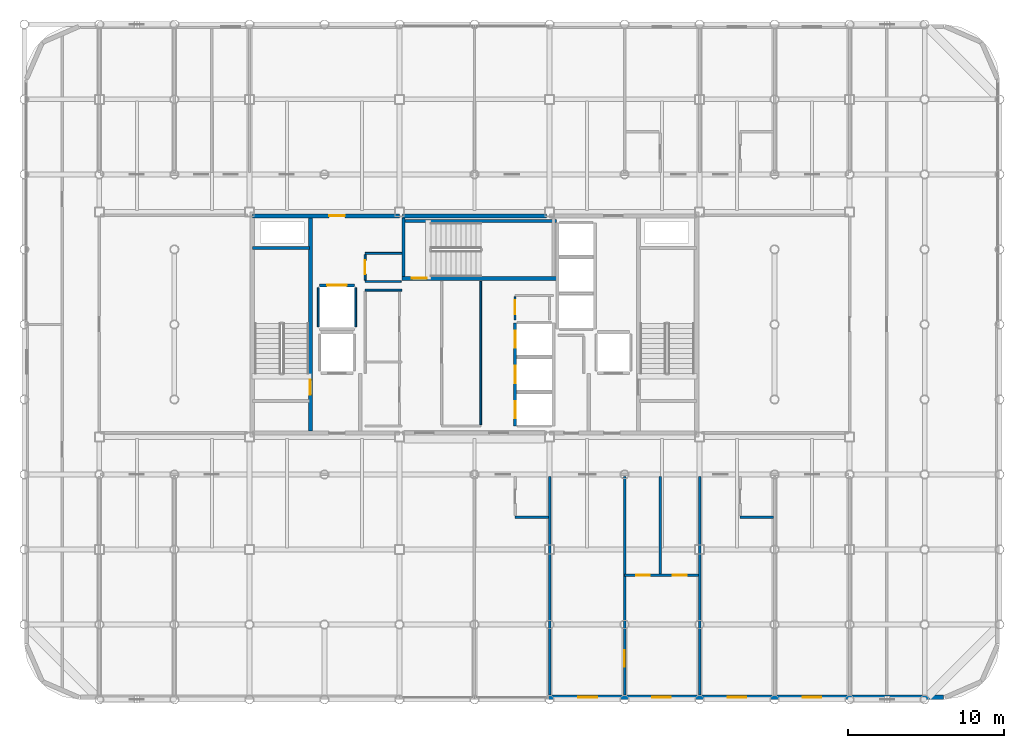
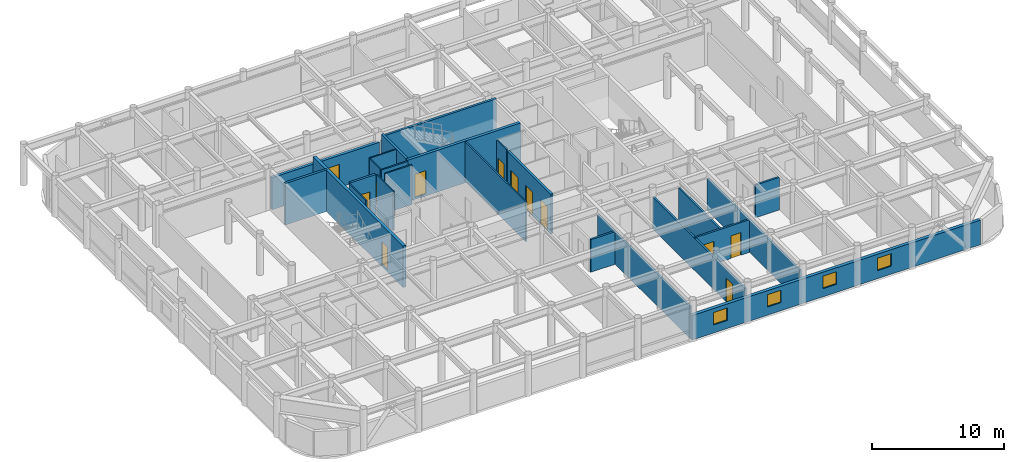
# One storey, part 18 of 22: 25 walls, 12 doors, 4 windows, 16 openings.
"""IFC4 building model written with IfcOpenShell, lengths in metres."""

from ifc_helpers import new_model, si_unit, direction, frame, frame_2d, origin, place, context, subcontext, project, spatial, rectangle, extrude, material, layer, layer_set, type_object, element, fill, save


model = new_model("IFC4")

# Units and contexts
model_context = context("Model", 3, precision=1e-05, world=origin(), true_north=direction((0.0, 1.0)))
body_context = subcontext(model_context, "Body", "Model", "MODEL_VIEW")
ifc_project = project(units=[si_unit("LENGTHUNIT", "METRE"), si_unit("AREAUNIT", "SQUARE_METRE"), si_unit("VOLUMEUNIT", "CUBIC_METRE"), si_unit("PLANEANGLEUNIT", "RADIAN"), si_unit("MASSUNIT", "GRAM", prefix="KILO")], contexts=[model_context])

# Site, building, storey
site_placement = place(None, origin())
site = spatial("IfcSite", under=ifc_project, at=site_placement, CompositionType="ELEMENT")
building_placement = place(site_placement, origin())
building = spatial("IfcBuilding", under=site, at=building_placement, Name="Kallvorn Hotel Tower", CompositionType="ELEMENT")
storey_placement = place(building_placement, frame((0.0, 0.0, 206.89990234375)))
storey = spatial("IfcBuildingStorey", under=building, at=storey_placement, Name="L51", CompositionType="ELEMENT", Elevation=206.89990234375)

# Wall, openings, doors
ifc_material_1 = material(Name="Fire-rated double-layer acoustic gypsum drywall EI 60")
ifc_layer_1 = layer(ifc_material_1, 0.159912109375)
ifc_layer_set_1 = layer_set([ifc_layer_1], Name="WL_DEMISE_160")
wall_type_1 = type_object("IfcWallType", Name="WL_DEMISE_160", PredefinedType="PARTITIONING", material=ifc_layer_set_1)
wall_1_placement = place(storey_placement, frame((9.60009765625, -16.050048828125, 0.0), z_axis=(0.0, 0.0, 1.0), x_axis=(1.0, 0.0, 0.0)))
wall_1 = element("IfcWall", 1, at=wall_1_placement, inside=storey, type_object=wall_type_1, Name="L51 Suite 5102 Executive Bedroom Partition", PredefinedType="PARTITIONING", context=body_context, shape_type="SweptSolid", body=[
    extrude(rectangle(XDim=4.719970703125, YDim=0.159912109375, at=frame_2d((2.35986328125, 0.0))), origin(), (0.0, 0.0, 1.0), 3.02001953125),
])
opening_1_placement = place(wall_1_placement, frame((0.75, 0.0, 0.0)))
opening_1 = element("IfcOpeningElement", 2, at=opening_1_placement, cuts=wall_1, Name="Opening BD-I", PredefinedType="OPENING", context=body_context, shape_type="SweptSolid", body=[
    extrude(rectangle(XDim=0.860107421875, YDim=2.10009765625, at=frame_2d((0.43017578125, 1.050048828125))), frame((0.0, 0.094970703125, 0.0), z_axis=(0.0, -1.0, 0.0), x_axis=(1.0, 0.0, 0.0)), (0.0, 0.0, 1.0), 0.18994140625),
])
opening_2_placement = place(wall_1_placement, frame((3.090087890625, 0.0, 0.0)))
opening_2 = element("IfcOpeningElement", 3, at=opening_2_placement, cuts=wall_1, Name="Opening SVD1", PredefinedType="OPENING", context=body_context, shape_type="SweptSolid", body=[
    extrude(rectangle(XDim=0.89990234375, YDim=2.10009765625, at=frame_2d((0.449951171875, 1.050048828125))), frame((0.0, 0.094970703125, 0.0), z_axis=(0.0, -1.0, 0.0), x_axis=(1.0, 0.0, 0.0)), (0.0, 0.0, 1.0), 0.18994140625),
])
ifc_material_2 = material(Name="Solid-core walnut veneer fire-rated timber door leaf", Category="wood")
door_type_1 = type_object("IfcDoorType", Name="DR_BATH_860x2100", OperationType="NOTDEFINED", PredefinedType="DOOR", material=ifc_material_2)
door_1_placement = place(opening_1_placement, origin())
door_1 = element("IfcDoor", 4, at=door_1_placement, inside=storey, type_object=door_type_1, Name="L51 Suite 5102 En-Suite Bathroom Door", OperationType="SINGLE_SWING_LEFT", OverallHeight=2.10009765625, OverallWidth=0.860107421875, PredefinedType="DOOR", context=body_context, shape_type="SweptSolid", body=[
    extrude(rectangle(XDim=0.860107421875, YDim=2.10009765625, at=frame_2d((0.43017578125, 1.050048828125))), frame((0.0, 0.02490234375, 0.0), z_axis=(0.0, -1.0, 0.0), x_axis=(1.0, 0.0, 0.0)), (0.0, 0.0, 1.0), 0.050048828125),
])
fill(opening_1, door_1)
ifc_material_3 = material(Name="Galvanised painted steel fire-rated door assembly", Category="steel")
door_type_2 = type_object("IfcDoorType", Name="DR_SERV_900x2100", OperationType="NOTDEFINED", PredefinedType="DOOR", material=ifc_material_3)
door_2_placement = place(opening_2_placement, origin())
door_2 = element("IfcDoor", 5, at=door_2_placement, inside=storey, type_object=door_type_2, Name="L51 Suite 5102 Walk-In Dressing Closet Door", OperationType="SINGLE_SWING_RIGHT", OverallHeight=2.10009765625, OverallWidth=0.89990234375, PredefinedType="DOOR", context=body_context, shape_type="SweptSolid", body=[
    extrude(rectangle(XDim=0.89990234375, YDim=2.10009765625, at=frame_2d((0.449951171875, 1.050048828125))), frame((0.0, 0.02490234375, 0.0), z_axis=(0.0, -1.0, 0.0), x_axis=(1.0, 0.0, 0.0)), (0.0, 0.0, 1.0), 0.050048828125),
])
fill(opening_2, door_2)

# Walls
wall_2_placement = place(storey_placement, frame((2.590087890625, -12.320068359375, 0.0), z_axis=(0.0, 0.0, 1.0), x_axis=(1.0, 0.0, 0.0)))
element("IfcWall", 6, at=wall_2_placement, inside=storey, type_object=wall_type_1, Name="L51 Suite 5101 Deluxe King Room Partition", PredefinedType="PARTITIONING", context=body_context, shape_type="SweptSolid", body=[
    extrude(rectangle(XDim=2.1298828125, YDim=0.159912109375, at=frame_2d((1.06494140625, 0.0))), origin(), (0.0, 0.0, 1.0), 3.02001953125),
])
wall_3_placement = place(storey_placement, frame((16.989990234375, -12.320068359375, 0.0), z_axis=(0.0, 0.0, 1.0), x_axis=(1.0, 0.0, 0.0)))
element("IfcWall", 7, at=wall_3_placement, inside=storey, type_object=wall_type_1, Name="L51 Suite 5103 Superior Twin Room Partition", PredefinedType="PARTITIONING", context=body_context, shape_type="SweptSolid", body=[
    extrude(rectangle(XDim=2.130126953125, YDim=0.159912109375, at=frame_2d((1.06494140625, 0.0))), origin(), (0.0, 0.0, 1.0), 3.02001953125),
])
wall_4_placement = place(storey_placement, frame((4.800048828125, -23.7099609375, 0.0), z_axis=(0.0, 0.0, 1.0), x_axis=(0.0, 1.0, 0.0)))
element("IfcWall", 8, at=wall_4_placement, inside=storey, type_object=wall_type_1, Name="L51 Suite 5101 Deluxe King Room Partition", PredefinedType="PARTITIONING", context=body_context, shape_type="SweptSolid", body=[
    extrude(rectangle(XDim=13.989990234375, YDim=0.159912109375, at=frame_2d((6.9951171875, 0.0))), origin(), (0.0, 0.0, 1.0), 2.97021484375),
])

# Wall, opening, door
wall_5_placement = place(storey_placement, frame((9.60009765625, -23.7099609375, 0.0), z_axis=(0.0, 0.0, 1.0), x_axis=(0.0, 1.0, 0.0)))
wall_5 = element("IfcWall", 9, at=wall_5_placement, inside=storey, type_object=wall_type_1, Name="L51 Suite 5102 Executive Bedroom Partition", PredefinedType="PARTITIONING", context=body_context, shape_type="SweptSolid", body=[
    extrude(rectangle(XDim=13.989990234375, YDim=0.159912109375, at=frame_2d((6.9951171875, 0.0))), origin(), (0.0, 0.0, 1.0), 2.97021484375),
])
opening_3_placement = place(wall_5_placement, frame((1.802978515625, 0.0, 0.0)))
opening_3 = element("IfcOpeningElement", 10, at=opening_3_placement, cuts=wall_5, Name="Opening GD2", PredefinedType="OPENING", context=body_context, shape_type="SweptSolid", body=[
    extrude(rectangle(XDim=1.050048828125, YDim=2.199951171875, at=frame_2d((0.52490234375, 1.10009765625))), frame((0.0, 0.094970703125, 0.0), z_axis=(0.0, -1.0, 0.0), x_axis=(1.0, 0.0, 0.0)), (0.0, 0.0, 1.0), 0.18994140625),
])
ifc_material_4 = material(Name="Solid-core walnut veneer fire-rated timber door leaf", Category="wood")
door_type_3 = type_object("IfcDoorType", Name="DR_SUITE_1050x2200", OperationType="NOTDEFINED", PredefinedType="DOOR", material=ifc_material_4)
door_3_placement = place(opening_3_placement, origin())
door_3 = element("IfcDoor", 11, at=door_3_placement, inside=storey, type_object=door_type_3, Name="L51 Suite 5102 Executive Bedroom Door", OperationType="SINGLE_SWING_RIGHT", OverallHeight=2.199951171875, OverallWidth=1.050048828125, PredefinedType="DOOR", context=body_context, shape_type="SweptSolid", body=[
    extrude(rectangle(XDim=1.050048828125, YDim=2.199951171875, at=frame_2d((0.52490234375, 1.10009765625))), frame((0.0, 0.02490234375, 0.0), z_axis=(0.0, -1.0, 0.0), x_axis=(1.0, 0.0, 0.0)), (0.0, 0.0, 1.0), 0.050048828125),
])
fill(opening_3, door_3)

# Wall
wall_6_placement = place(storey_placement, frame((14.39990234375, -23.7099609375, 0.0), z_axis=(0.0, 0.0, 1.0), x_axis=(0.0, 1.0, 0.0)))
element("IfcWall", 12, at=wall_6_placement, inside=storey, type_object=wall_type_1, Name="L51 Suite 5102 Executive Bedroom Partition", PredefinedType="PARTITIONING", context=body_context, shape_type="SweptSolid", body=[
    extrude(rectangle(XDim=13.989990234375, YDim=0.159912109375, at=frame_2d((6.9951171875, 0.0))), origin(), (0.0, 0.0, 1.0), 2.97021484375),
])

# Wall, openings, windows
ifc_material_5 = material(Name="Precast basalt-clad insulated concrete wall C40/50", Category="masonry")
ifc_layer_2 = layer(ifc_material_5, 0.280029296875)
ifc_layer_set_2 = layer_set([ifc_layer_2], Name="WL_EXT_LOGGIA_280")
wall_type_2 = type_object("IfcWallType", Name="WL_EXT_LOGGIA_280", PredefinedType="SOLIDWALL", material=ifc_layer_set_2)
wall_7_placement = place(storey_placement, frame((4.75, -23.860107421875, 0.0), z_axis=(0.0, 0.0, 1.0), x_axis=(1.0, 0.0, 0.0)))
wall_7 = element("IfcWall", 13, at=wall_7_placement, inside=storey, type_object=wall_type_2, Name="L51 Exterior Envelope Wall EW-L51-SE", PredefinedType="SOLIDWALL", context=body_context, shape_type="SweptSolid", body=[
    extrude(rectangle(XDim=25.25, YDim=0.280029296875, at=frame_2d((12.625, 0.0))), origin(), (0.0, 0.0, 1.0), 2.27001953125),
])
opening_4_placement = place(wall_7_placement, frame((16.25, 0.0, 0.75)))
opening_4 = element("IfcOpeningElement", 14, at=opening_4_placement, cuts=wall_7, Name="Opening W06A", PredefinedType="OPENING", context=body_context, shape_type="SweptSolid", body=[
    extrude(rectangle(XDim=1.199951171875, YDim=1.14990234375, at=frame_2d((0.60009765625, 0.574951171875))), frame((0.0, 0.155029296875, 0.0), z_axis=(0.0, -1.0, 0.0), x_axis=(1.0, 0.0, 0.0)), (0.0, 0.0, 1.0), 0.31005859375),
])
opening_5_placement = place(wall_7_placement, frame((1.889892578125, 0.0, 0.75)))
opening_5 = element("IfcOpeningElement", 15, at=opening_5_placement, cuts=wall_7, Name="Opening W06A", PredefinedType="OPENING", context=body_context, shape_type="SweptSolid", body=[
    extrude(rectangle(XDim=1.199951171875, YDim=1.14990234375, at=frame_2d((0.60009765625, 0.574951171875))), frame((0.0, 0.155029296875, 0.0), z_axis=(0.0, -1.0, 0.0), x_axis=(1.0, 0.0, 0.0)), (0.0, 0.0, 1.0), 0.31005859375),
])
opening_6_placement = place(wall_7_placement, frame((6.610107421875, 0.0, 0.75)))
opening_6 = element("IfcOpeningElement", 16, at=opening_6_placement, cuts=wall_7, Name="Opening W06A", PredefinedType="OPENING", context=body_context, shape_type="SweptSolid", body=[
    extrude(rectangle(XDim=1.199951171875, YDim=1.14990234375, at=frame_2d((0.60009765625, 0.574951171875))), frame((0.0, 0.155029296875, 0.0), z_axis=(0.0, -1.0, 0.0), x_axis=(1.0, 0.0, 0.0)), (0.0, 0.0, 1.0), 0.31005859375),
])
opening_7_placement = place(wall_7_placement, frame((11.449951171875, 0.0, 0.75)))
opening_7 = element("IfcOpeningElement", 17, at=opening_7_placement, cuts=wall_7, Name="Opening W06A", PredefinedType="OPENING", context=body_context, shape_type="SweptSolid", body=[
    extrude(rectangle(XDim=1.199951171875, YDim=1.14990234375, at=frame_2d((0.60009765625, 0.574951171875))), frame((0.0, 0.155029296875, 0.0), z_axis=(0.0, -1.0, 0.0), x_axis=(1.0, 0.0, 0.0)), (0.0, 0.0, 1.0), 0.31005859375),
])
ifc_material_6 = material(Name="Triple-glazed low-e acoustic solar-control dark glass", Category="glass")
window_type = type_object("IfcWindowType", Name="WN_HTL_1200x1150", PartitioningType="SINGLE_PANEL", PredefinedType="WINDOW", material=ifc_material_6)
window_1_placement = place(opening_4_placement, origin())
window_1 = element("IfcWindow", 18, at=window_1_placement, inside=storey, type_object=window_type, Name="L51 Guestroom Exterior Window 01", OverallHeight=1.14990234375, OverallWidth=1.199951171875, PartitioningType="SINGLE_PANEL", PredefinedType="WINDOW", context=body_context, shape_type="SweptSolid", body=[
    extrude(rectangle(XDim=1.199951171875, YDim=1.14990234375, at=frame_2d((0.60009765625, 0.574951171875))), frame((0.0, 0.030029296875, 0.0), z_axis=(0.0, -1.0, 0.0), x_axis=(1.0, 0.0, 0.0)), (0.0, 0.0, 1.0), 0.06005859375),
])
fill(opening_4, window_1)
window_2_placement = place(opening_5_placement, origin())
window_2 = element("IfcWindow", 19, at=window_2_placement, inside=storey, type_object=window_type, Name="L51 Guestroom Exterior Window 04", OverallHeight=1.14990234375, OverallWidth=1.199951171875, PartitioningType="SINGLE_PANEL", PredefinedType="WINDOW", context=body_context, shape_type="SweptSolid", body=[
    extrude(rectangle(XDim=1.199951171875, YDim=1.14990234375, at=frame_2d((0.60009765625, 0.574951171875))), frame((0.0, 0.030029296875, 0.0), z_axis=(0.0, -1.0, 0.0), x_axis=(1.0, 0.0, 0.0)), (0.0, 0.0, 1.0), 0.06005859375),
])
fill(opening_5, window_2)
window_3_placement = place(opening_6_placement, origin())
window_3 = element("IfcWindow", 20, at=window_3_placement, inside=storey, type_object=window_type, Name="L51 Guestroom Exterior Window 05", OverallHeight=1.14990234375, OverallWidth=1.199951171875, PartitioningType="SINGLE_PANEL", PredefinedType="WINDOW", context=body_context, shape_type="SweptSolid", body=[
    extrude(rectangle(XDim=1.199951171875, YDim=1.14990234375, at=frame_2d((0.60009765625, 0.574951171875))), frame((0.0, 0.030029296875, 0.0), z_axis=(0.0, -1.0, 0.0), x_axis=(1.0, 0.0, 0.0)), (0.0, 0.0, 1.0), 0.06005859375),
])
fill(opening_6, window_3)
window_4_placement = place(opening_7_placement, origin())
window_4 = element("IfcWindow", 21, at=window_4_placement, inside=storey, type_object=window_type, Name="L51 Guestroom Exterior Window 06", OverallHeight=1.14990234375, OverallWidth=1.199951171875, PartitioningType="SINGLE_PANEL", PredefinedType="WINDOW", context=body_context, shape_type="SweptSolid", body=[
    extrude(rectangle(XDim=1.199951171875, YDim=1.14990234375, at=frame_2d((0.60009765625, 0.574951171875))), frame((0.0, 0.030029296875, 0.0), z_axis=(0.0, -1.0, 0.0), x_axis=(1.0, 0.0, 0.0)), (0.0, 0.0, 1.0), 0.06005859375),
])
fill(opening_7, window_4)

# Walls
ifc_material_7 = material(Name="Concrete C40/50", Category="concrete")
ifc_layer_3 = layer(ifc_material_7, 0.199951171875)
ifc_layer_set_3 = layer_set([ifc_layer_3], Name="WL_HOIST_200")
wall_type_3 = type_object("IfcWallType", Name="WL_HOIST_200", PredefinedType="SOLIDWALL", material=ifc_layer_set_3)
wall_8_placement = place(storey_placement, frame((-14.199951171875, 4.89990234375, -0.179931640625), z_axis=(0.0, 0.0, 1.0), x_axis=(1.0, 0.0, 0.0)))
element("IfcWall", 22, at=wall_8_placement, inside=storey, type_object=wall_type_3, Name="L51 Stair ST1 North Wall", PredefinedType="SOLIDWALL", context=body_context, shape_type="SweptSolid", body=[
    extrude(rectangle(XDim=3.64990234375, YDim=0.199951171875, at=frame_2d((1.824951171875, 0.0))), origin(), (0.0, 0.0, 1.0), 3.85009765625),
])
wall_9_placement = place(storey_placement, frame((-4.64990234375, 6.610107421875, -0.179931640625), z_axis=(0.0, 0.0, 1.0), x_axis=(1.0, 0.0, 0.0)))
element("IfcWall", 23, at=wall_9_placement, inside=storey, type_object=wall_type_3, Name="L51 Stair ST3 Shaft North Wall", PredefinedType="SOLIDWALL", context=body_context, shape_type="SweptSolid", body=[
    extrude(rectangle(XDim=9.89990234375, YDim=0.199951171875, at=frame_2d((4.949951171875, 0.0))), origin(), (0.0, 0.0, 1.0), 3.85009765625),
])
wall_10_placement = place(storey_placement, frame((-4.550048828125, 3.080078125, -0.179931640625), z_axis=(0.0, 0.0, 1.0), x_axis=(0.0, 1.0, 0.0)))
element("IfcWall", 24, at=wall_10_placement, inside=storey, type_object=wall_type_3, Name="L51 Stair ST3 West Wall", PredefinedType="SOLIDWALL", context=body_context, shape_type="SweptSolid", body=[
    extrude(rectangle(XDim=3.739990234375, YDim=0.199951171875, at=frame_2d((1.8701171875, 0.0))), origin(), (0.0, 0.0, 1.0), 3.85009765625),
])

# Wall, openings, doors
wall_11_placement = place(storey_placement, frame((2.60009765625, -6.5, 0.0), z_axis=(0.0, 0.0, 1.0), x_axis=(0.0, 1.0, 0.0)))
wall_11 = element("IfcWall", 25, at=wall_11_placement, inside=storey, type_object=wall_type_3, Name="L51 Lift Bank B3A Landing Wall", PredefinedType="SOLIDWALL", context=body_context, shape_type="SweptSolid", body=[
    extrude(rectangle(XDim=6.60009765625, YDim=0.199951171875, at=frame_2d((3.300048828125, 0.0))), origin(), (0.0, 0.0, 1.0), 3.670166015625),
])
opening_8_placement = place(wall_11_placement, frame((0.5, 0.0, 0.0)))
opening_8 = element("IfcOpeningElement", 26, at=opening_8_placement, cuts=wall_11, Name="Opening LD-PL-09", PredefinedType="OPENING", context=body_context, shape_type="SweptSolid", body=[
    extrude(rectangle(XDim=1.10009765625, YDim=2.199951171875, at=frame_2d((0.550048828125, 1.10009765625))), frame((0.0, 0.114990234375, 0.0), z_axis=(0.0, -1.0, 0.0), x_axis=(1.0, 0.0, 0.0)), (0.0, 0.0, 1.0), 0.22998046875),
])
opening_9_placement = place(wall_11_placement, frame((2.75, 0.0, 0.0)))
opening_9 = element("IfcOpeningElement", 27, at=opening_9_placement, cuts=wall_11, Name="Opening LD-PL-10", PredefinedType="OPENING", context=body_context, shape_type="SweptSolid", body=[
    extrude(rectangle(XDim=1.10009765625, YDim=2.199951171875, at=frame_2d((0.550048828125, 1.10009765625))), frame((0.0, 0.114990234375, 0.0), z_axis=(0.0, -1.0, 0.0), x_axis=(1.0, 0.0, 0.0)), (0.0, 0.0, 1.0), 0.22998046875),
])
opening_10_placement = place(wall_11_placement, frame((5.0, 0.0, 0.0)))
opening_10 = element("IfcOpeningElement", 28, at=opening_10_placement, cuts=wall_11, Name="Opening LD-PL-11", PredefinedType="OPENING", context=body_context, shape_type="SweptSolid", body=[
    extrude(rectangle(XDim=1.10009765625, YDim=2.199951171875, at=frame_2d((0.550048828125, 1.10009765625))), frame((0.0, 0.114990234375, 0.0), z_axis=(0.0, -1.0, 0.0), x_axis=(1.0, 0.0, 0.0)), (0.0, 0.0, 1.0), 0.22998046875),
])
ifc_material_8 = material(Name="Brushed stainless-steel automatic sliding lift landing door", Category="steel")
door_type_4 = type_object("IfcDoorType", Name="LD_PASS_1100x2200", OperationType="SLIDING_TO_LEFT", PredefinedType="DOOR", material=ifc_material_8)
door_4_placement = place(opening_8_placement, origin())
door_4 = element("IfcDoor", 29, at=door_4_placement, inside=storey, type_object=door_type_4, Name="L51 Lift Landing Sliding Door LD-PL-09", OperationType="SLIDING_TO_LEFT", OverallHeight=2.199951171875, OverallWidth=1.10009765625, PredefinedType="DOOR", context=body_context, shape_type="SweptSolid", body=[
    extrude(rectangle(XDim=1.10009765625, YDim=2.199951171875, at=frame_2d((0.550048828125, 1.10009765625))), frame((0.0, 0.02490234375, 0.0), z_axis=(0.0, -1.0, 0.0), x_axis=(1.0, 0.0, 0.0)), (0.0, 0.0, 1.0), 0.050048828125),
])
fill(opening_8, door_4)
door_5_placement = place(opening_9_placement, origin())
door_5 = element("IfcDoor", 30, at=door_5_placement, inside=storey, type_object=door_type_4, Name="L51 Lift Landing Sliding Door LD-PL-10", OperationType="SLIDING_TO_LEFT", OverallHeight=2.199951171875, OverallWidth=1.10009765625, PredefinedType="DOOR", context=body_context, shape_type="SweptSolid", body=[
    extrude(rectangle(XDim=1.10009765625, YDim=2.199951171875, at=frame_2d((0.550048828125, 1.10009765625))), frame((0.0, 0.02490234375, 0.0), z_axis=(0.0, -1.0, 0.0), x_axis=(1.0, 0.0, 0.0)), (0.0, 0.0, 1.0), 0.050048828125),
])
fill(opening_9, door_5)
door_6_placement = place(opening_10_placement, origin())
door_6 = element("IfcDoor", 31, at=door_6_placement, inside=storey, type_object=door_type_4, Name="L51 Lift Landing Sliding Door LD-PL-11", OperationType="SLIDING_TO_LEFT", OverallHeight=2.199951171875, OverallWidth=1.10009765625, PredefinedType="DOOR", context=body_context, shape_type="SweptSolid", body=[
    extrude(rectangle(XDim=1.10009765625, YDim=2.199951171875, at=frame_2d((0.550048828125, 1.10009765625))), frame((0.0, 0.02490234375, 0.0), z_axis=(0.0, -1.0, 0.0), x_axis=(1.0, 0.0, 0.0)), (0.0, 0.0, 1.0), 0.050048828125),
])
fill(opening_10, door_6)

# Wall, opening, door
wall_12_placement = place(storey_placement, frame((-9.919921875, 2.5, 0.0), z_axis=(0.0, 0.0, 1.0), x_axis=(1.0, 0.0, 0.0)))
wall_12 = element("IfcWall", 32, at=wall_12_placement, inside=storey, type_object=wall_type_3, Name="L51 SV-01 Landing Wall", PredefinedType="SOLIDWALL", context=body_context, shape_type="SweptSolid", body=[
    extrude(rectangle(XDim=2.239990234375, YDim=0.199951171875, at=frame_2d((1.1201171875, 0.0))), origin(), (0.0, 0.0, 1.0), 3.670166015625),
])
opening_11_placement = place(wall_12_placement, frame((0.4951171875, 0.0, 0.0)))
opening_11 = element("IfcOpeningElement", 33, at=opening_11_placement, cuts=wall_12, Name="Opening LD-SV-01", PredefinedType="OPENING", context=body_context, shape_type="SweptSolid", body=[
    extrude(rectangle(XDim=1.25, YDim=2.25, at=frame_2d((0.625, 1.125))), frame((0.0, 0.114990234375, 0.0), z_axis=(0.0, -1.0, 0.0), x_axis=(1.0, 0.0, 0.0)), (0.0, 0.0, 1.0), 0.22998046875),
])
ifc_material_9 = material(Name="Brushed stainless-steel automatic sliding lift landing door", Category="steel")
door_type_5 = type_object("IfcDoorType", Name="LD_SERV_1250x2250", OperationType="SLIDING_TO_LEFT", PredefinedType="DOOR", material=ifc_material_9)
door_7_placement = place(opening_11_placement, origin())
door_7 = element("IfcDoor", 34, at=door_7_placement, inside=storey, type_object=door_type_5, Name="L51 Lift Landing Sliding Door LD-SV-01", OperationType="SLIDING_TO_LEFT", OverallHeight=2.25, OverallWidth=1.25, PredefinedType="DOOR", context=body_context, shape_type="SweptSolid", body=[
    extrude(rectangle(XDim=1.25, YDim=2.25, at=frame_2d((0.625, 1.125))), frame((0.0, 0.02490234375, 0.0), z_axis=(0.0, -1.0, 0.0), x_axis=(1.0, 0.0, 0.0)), (0.0, 0.0, 1.0), 0.050048828125),
])
fill(opening_11, door_7)

# Walls
ifc_material_10 = material(Name="Fire-rated double-layer acoustic gypsum drywall EI 60")
ifc_layer_4 = layer(ifc_material_10, 0.1201171875)
ifc_layer_set_4 = layer_set([ifc_layer_4], Name="WL_INT_120")
wall_type_4 = type_object("IfcWallType", Name="WL_INT_120", PredefinedType="PARTITIONING", material=ifc_layer_set_4)
for number, where, z_axis, x_axis, name in (
    (35, (-10.0, -0.159912109375, 0.0), (0.0, 0.0, 1.0), (0.0, 1.0, 0.0), "L51 SV-01 West Shaft Wall"),
    (36, (-7.60009765625, -0.159912109375, 0.0), (0.0, 0.0, 1.0), (0.0, 1.0, 0.0), "L51 SV-01 East Shaft Wall"),
):
    element("IfcWall", number, at=place(storey_placement, frame(where, z_axis=z_axis, x_axis=x_axis)), inside=storey, type_object=wall_type_4, Name=name, PredefinedType="PARTITIONING", context=body_context, shape_type="SweptSolid", body=[
        extrude(rectangle(XDim=2.52001953125, YDim=0.1201171875, at=frame_2d((1.260009765625, 0.0))), origin(), (0.0, 0.0, 1.0), 3.670166015625),
    ])
wall_13_placement = place(storey_placement, frame((-7.0, 2.199951171875, 0.0), z_axis=(0.0, 0.0, 1.0), x_axis=(1.0, 0.0, 0.0)))
element("IfcWall", 37, at=wall_13_placement, inside=storey, type_object=wall_type_4, Name="L51 Recaptured Central Linen Store Partition", PredefinedType="PARTITIONING", context=body_context, shape_type="SweptSolid", body=[
    extrude(rectangle(XDim=2.35009765625, YDim=0.1201171875, at=frame_2d((1.175048828125, 0.0))), origin(), (0.0, 0.0, 1.0), 3.670166015625),
])
wall_14_placement = place(storey_placement, frame((-7.0, 2.75, 0.0), z_axis=(0.0, 0.0, 1.0), x_axis=(1.0, 0.0, 0.0)))
element("IfcWall", 38, at=wall_14_placement, inside=storey, type_object=wall_type_4, Name="L51 Recaptured North Valet Closet Partition", PredefinedType="PARTITIONING", context=body_context, shape_type="SweptSolid", body=[
    extrude(rectangle(XDim=2.31005859375, YDim=0.1201171875, at=frame_2d((1.155029296875, 0.0))), origin(), (0.0, 0.0, 1.0), 3.670166015625),
])
wall_15_placement = place(storey_placement, frame((-7.0, 4.550048828125, 0.0), z_axis=(0.0, 0.0, 1.0), x_axis=(1.0, 0.0, 0.0)))
element("IfcWall", 39, at=wall_15_placement, inside=storey, type_object=wall_type_4, Name="L51 Recaptured North Valet Closet Partition", PredefinedType="PARTITIONING", context=body_context, shape_type="SweptSolid", body=[
    extrude(rectangle(XDim=2.35009765625, YDim=0.1201171875, at=frame_2d((1.175048828125, 0.0))), origin(), (0.0, 0.0, 1.0), 3.670166015625),
])

# Wall, opening, door
wall_16_placement = place(storey_placement, frame((-7.0, 2.8349609375, 0.0), z_axis=(0.0, 0.0, 1.0), x_axis=(0.0, 1.0, 0.0)))
wall_16 = element("IfcWall", 40, at=wall_16_placement, inside=storey, type_object=wall_type_4, Name="L51 Recaptured North Valet Closet Partition", PredefinedType="PARTITIONING", context=body_context, shape_type="SweptSolid", body=[
    extrude(rectangle(XDim=1.630126953125, YDim=0.1201171875, at=frame_2d((0.81494140625, 0.0))), origin(), (0.0, 0.0, 1.0), 3.670166015625),
])
opening_12_placement = place(wall_16_placement, frame((0.364990234375, 0.0, 0.0)))
opening_12 = element("IfcOpeningElement", 41, at=opening_12_placement, cuts=wall_16, Name="Opening SVD1", PredefinedType="OPENING", context=body_context, shape_type="SweptSolid", body=[
    extrude(rectangle(XDim=0.89990234375, YDim=2.10009765625, at=frame_2d((0.449951171875, 1.050048828125))), frame((0.0, 0.074951171875, 0.0), z_axis=(0.0, -1.0, 0.0), x_axis=(1.0, 0.0, 0.0)), (0.0, 0.0, 1.0), 0.150146484375),
])
door_8_placement = place(opening_12_placement, origin())
door_8 = element("IfcDoor", 42, at=door_8_placement, inside=storey, type_object=door_type_2, Name="L51 Recaptured North Valet Closet Door", OperationType="SINGLE_SWING_LEFT", OverallHeight=2.10009765625, OverallWidth=0.89990234375, PredefinedType="DOOR", context=body_context, shape_type="SweptSolid", body=[
    extrude(rectangle(XDim=0.89990234375, YDim=2.10009765625, at=frame_2d((0.449951171875, 1.050048828125))), frame((0.0, 0.02490234375, 0.0), z_axis=(0.0, -1.0, 0.0), x_axis=(1.0, 0.0, 0.0)), (0.0, 0.0, 1.0), 0.050048828125),
])
fill(opening_12, door_8)

# Wall
wall_17_placement = place(storey_placement, frame((0.39990234375, -6.4150390625, 0.0), z_axis=(0.0, 0.0, 1.0), x_axis=(0.0, 1.0, 0.0)))
element("IfcWall", 43, at=wall_17_placement, inside=storey, type_object=wall_type_4, Name="L51 Altitude Executive Pantry and Ice Room Partition", PredefinedType="PARTITIONING", context=body_context, shape_type="SweptSolid", body=[
    extrude(rectangle(XDim=9.1650390625, YDim=0.1201171875, at=frame_2d((4.58251953125, 0.0))), origin(), (0.0, 0.0, 1.0), 3.670166015625),
])

# Wall, opening, door
wall_18_placement = place(storey_placement, frame((2.59326171875, 0.300048828125, 0.0), z_axis=(0.0, 0.0, 1.0), x_axis=(0.0, 1.0, 0.0)))
wall_18 = element("IfcWall", 44, at=wall_18_placement, inside=storey, type_object=wall_type_4, Name="L51 East Core Ice Pantry Partition", PredefinedType="PARTITIONING", context=body_context, shape_type="SweptSolid", body=[
    extrude(rectangle(XDim=1.46484375, YDim=0.1201171875, at=frame_2d((0.732421875, 0.0))), origin(), (0.0, 0.0, 1.0), 3.670166015625),
])
opening_13_placement = place(wall_18_placement, frame((0.344970703125, 0.0, 0.0)))
opening_13 = element("IfcOpeningElement", 45, at=opening_13_placement, cuts=wall_18, Name="Opening SVD1", PredefinedType="OPENING", context=body_context, shape_type="SweptSolid", body=[
    extrude(rectangle(XDim=0.89990234375, YDim=2.10009765625, at=frame_2d((0.449951171875, 1.050048828125))), frame((0.0, 0.074951171875, 0.0), z_axis=(0.0, -1.0, 0.0), x_axis=(1.0, 0.0, 0.0)), (0.0, 0.0, 1.0), 0.150146484375),
])
door_9_placement = place(opening_13_placement, origin())
door_9 = element("IfcDoor", 46, at=door_9_placement, inside=storey, type_object=door_type_2, Name="L51 East Core Ice Pantry Door", OperationType="SINGLE_SWING_RIGHT", OverallHeight=2.10009765625, OverallWidth=0.89990234375, PredefinedType="DOOR", context=body_context, shape_type="SweptSolid", body=[
    extrude(rectangle(XDim=0.89990234375, YDim=2.10009765625, at=frame_2d((0.449951171875, 1.050048828125))), frame((0.0, 0.02490234375, 0.0), z_axis=(0.0, -1.0, 0.0), x_axis=(1.0, 0.0, 0.0)), (0.0, 0.0, 1.0), 0.050048828125),
])
fill(opening_13, door_9)

# Wall
ifc_material_11 = material(Name="Fire-rated double-layer acoustic gypsum drywall EI 60")
ifc_layer_5 = layer(ifc_material_11, 0.14990234375)
ifc_layer_set_5 = layer_set([ifc_layer_5], Name="WL_PART_150")
wall_type_5 = type_object("IfcWallType", Name="WL_PART_150", PredefinedType="PARTITIONING", material=ifc_layer_set_5)
wall_19_placement = place(storey_placement, frame((11.885009765625, -15.965087890625, 0.0), z_axis=(0.0, 0.0, 1.0), x_axis=(0.0, 1.0, 0.0)))
element("IfcWall", 47, at=wall_19_placement, inside=storey, type_object=wall_type_5, Name="L51 Suite 5102 Walk-In Dressing Closet Partition", PredefinedType="PARTITIONING", context=body_context, shape_type="SweptSolid", body=[
    extrude(rectangle(XDim=6.2451171875, YDim=0.14990234375, at=frame_2d((3.12255859375, 0.0))), origin(), (0.0, 0.0, 1.0), 2.97021484375),
])

# Wall, opening, door
ifc_material_12 = material(Name="Concrete C40/50", Category="concrete")
ifc_layer_6 = layer(ifc_material_12, 0.25)
ifc_layer_set_6 = layer_set([ifc_layer_6], Name="WL_SHAFT_250")
wall_type_6 = type_object("IfcWallType", Name="WL_SHAFT_250", PredefinedType="SOLIDWALL", material=ifc_layer_set_6)
wall_20_placement = place(storey_placement, frame((-14.199951171875, 6.949951171875, 0.0), z_axis=(0.0, 0.0, 1.0), x_axis=(1.0, 0.0, 0.0)))
wall_20 = element("IfcWall", 48, at=wall_20_placement, inside=storey, type_object=wall_type_6, Name="L51 Core North-West Wall", PredefinedType="SOLIDWALL", context=body_context, shape_type="SweptSolid", body=[
    extrude(rectangle(XDim=9.39990234375, YDim=0.25, at=frame_2d((4.699951171875, 0.0))), origin(), (0.0, 0.0, 1.0), 2.97021484375),
])
opening_14_placement = place(wall_20_placement, frame((4.89990234375, 0.0, 0.0)))
opening_14 = element("IfcOpeningElement", 49, at=opening_14_placement, cuts=wall_20, Name="Opening FD1", PredefinedType="OPENING", context=body_context, shape_type="SweptSolid", body=[
    extrude(rectangle(XDim=1.0, YDim=2.14990234375, at=frame_2d((0.5, 1.074951171875))), frame((0.0, 0.139892578125, 0.0), z_axis=(0.0, -1.0, 0.0), x_axis=(1.0, 0.0, 0.0)), (0.0, 0.0, 1.0), 0.280029296875),
])
ifc_material_13 = material(Name="Galvanised painted steel fire-rated door assembly", Category="steel")
door_type_6 = type_object("IfcDoorType", Name="DR_FFL_1000x2150", OperationType="NOTDEFINED", PredefinedType="DOOR", material=ifc_material_13)
door_10_placement = place(opening_14_placement, origin())
door_10 = element("IfcDoor", 50, at=door_10_placement, inside=storey, type_object=door_type_6, Name="L51 Service Lift Lobby Door", OperationType="SINGLE_SWING_LEFT", OverallHeight=2.14990234375, OverallWidth=1.0, PredefinedType="DOOR", context=body_context, shape_type="SweptSolid", body=[
    extrude(rectangle(XDim=1.0, YDim=2.14990234375, at=frame_2d((0.5, 1.074951171875))), frame((0.0, 0.02490234375, 0.0), z_axis=(0.0, -1.0, 0.0), x_axis=(1.0, 0.0, 0.0)), (0.0, 0.0, 1.0), 0.050048828125),
])
fill(opening_14, door_10)

# Wall
wall_21_placement = place(storey_placement, frame((-4.60009765625, 6.949951171875, 0.0), z_axis=(0.0, 0.0, 1.0), x_axis=(1.0, 0.0, 0.0)))
element("IfcWall", 51, at=wall_21_placement, inside=storey, type_object=wall_type_6, Name="L51 Core North-Central Wall", PredefinedType="SOLIDWALL", context=body_context, shape_type="SweptSolid", body=[
    extrude(rectangle(XDim=9.2001953125, YDim=0.25, at=frame_2d((4.60009765625, 0.0))), origin(), (0.0, 0.0, 1.0), 2.97021484375),
])

# Wall, opening, door
wall_22_placement = place(storey_placement, frame((-10.5, -6.820068359375, -0.179931640625), z_axis=(0.0, 0.0, 1.0), x_axis=(0.0, 1.0, 0.0)))
wall_22 = element("IfcWall", 52, at=wall_22_placement, inside=storey, type_object=wall_type_6, Name="L51 Stair ST1 Shaft Wall", PredefinedType="SOLIDWALL", context=body_context, shape_type="SweptSolid", body=[
    extrude(rectangle(XDim=13.64013671875, YDim=0.25, at=frame_2d((6.820068359375, 0.0))), origin(), (0.0, 0.0, 1.0), 3.85009765625),
])
opening_15_placement = place(wall_22_placement, frame((2.320068359375, 0.0, 0.179931640625)))
opening_15 = element("IfcOpeningElement", 53, at=opening_15_placement, cuts=wall_22, Name="Opening SD1", PredefinedType="OPENING", context=body_context, shape_type="SweptSolid", body=[
    extrude(rectangle(XDim=0.949951171875, YDim=2.14990234375, at=frame_2d((0.47509765625, 1.074951171875))), frame((0.0, 0.139892578125, 0.0), z_axis=(0.0, -1.0, 0.0), x_axis=(1.0, 0.0, 0.0)), (0.0, 0.0, 1.0), 0.280029296875),
])
ifc_material_14 = material(Name="Galvanised painted steel fire-rated door assembly", Category="steel")
door_type_7 = type_object("IfcDoorType", Name="DR_STAIR_950x2150", OperationType="NOTDEFINED", PredefinedType="DOOR", material=ifc_material_14)
door_11_placement = place(opening_15_placement, origin())
door_11 = element("IfcDoor", 54, at=door_11_placement, inside=storey, type_object=door_type_7, Name="L51 Exit Stair ST1 Fire Door", OperationType="SINGLE_SWING_RIGHT", OverallHeight=2.14990234375, OverallWidth=0.949951171875, PredefinedType="DOOR", context=body_context, shape_type="SweptSolid", body=[
    extrude(rectangle(XDim=0.949951171875, YDim=2.14990234375, at=frame_2d((0.47509765625, 1.074951171875))), frame((0.0, 0.02490234375, 0.0), z_axis=(0.0, -1.0, 0.0), x_axis=(1.0, 0.0, 0.0)), (0.0, 0.0, 1.0), 0.050048828125),
])
fill(opening_15, door_11)

wall_23_placement = place(storey_placement, frame((-4.64990234375, 2.949951171875, -0.179931640625), z_axis=(0.0, 0.0, 1.0), x_axis=(1.0, 0.0, 0.0)))
wall_23 = element("IfcWall", 55, at=wall_23_placement, inside=storey, type_object=wall_type_6, Name="L51 Stair ST3 Shaft South Wall", PredefinedType="SOLIDWALL", context=body_context, shape_type="SweptSolid", body=[
    extrude(rectangle(XDim=9.89990234375, YDim=0.25, at=frame_2d((4.949951171875, 0.0))), origin(), (0.0, 0.0, 1.0), 3.85009765625),
])
opening_16_placement = place(wall_23_placement, frame((0.64990234375, 0.0, 0.179931640625)))
opening_16 = element("IfcOpeningElement", 56, at=opening_16_placement, cuts=wall_23, Name="Opening SD1", PredefinedType="OPENING", context=body_context, shape_type="SweptSolid", body=[
    extrude(rectangle(XDim=0.949951171875, YDim=2.14990234375, at=frame_2d((0.47509765625, 1.074951171875))), frame((0.0, 0.139892578125, 0.0), z_axis=(0.0, -1.0, 0.0), x_axis=(1.0, 0.0, 0.0)), (0.0, 0.0, 1.0), 0.280029296875),
])
door_12_placement = place(opening_16_placement, origin())
door_12 = element("IfcDoor", 57, at=door_12_placement, inside=storey, type_object=door_type_7, Name="L51 Exit Stair ST3 Fire Door", OperationType="SINGLE_SWING_LEFT", OverallHeight=2.14990234375, OverallWidth=0.949951171875, PredefinedType="DOOR", context=body_context, shape_type="SweptSolid", body=[
    extrude(rectangle(XDim=0.949951171875, YDim=2.14990234375, at=frame_2d((0.47509765625, 1.074951171875))), frame((0.0, 0.02490234375, 0.0), z_axis=(0.0, -1.0, 0.0), x_axis=(1.0, 0.0, 0.0)), (0.0, 0.0, 1.0), 0.050048828125),
])
fill(opening_16, door_12)

save(model, "model.ifc")
